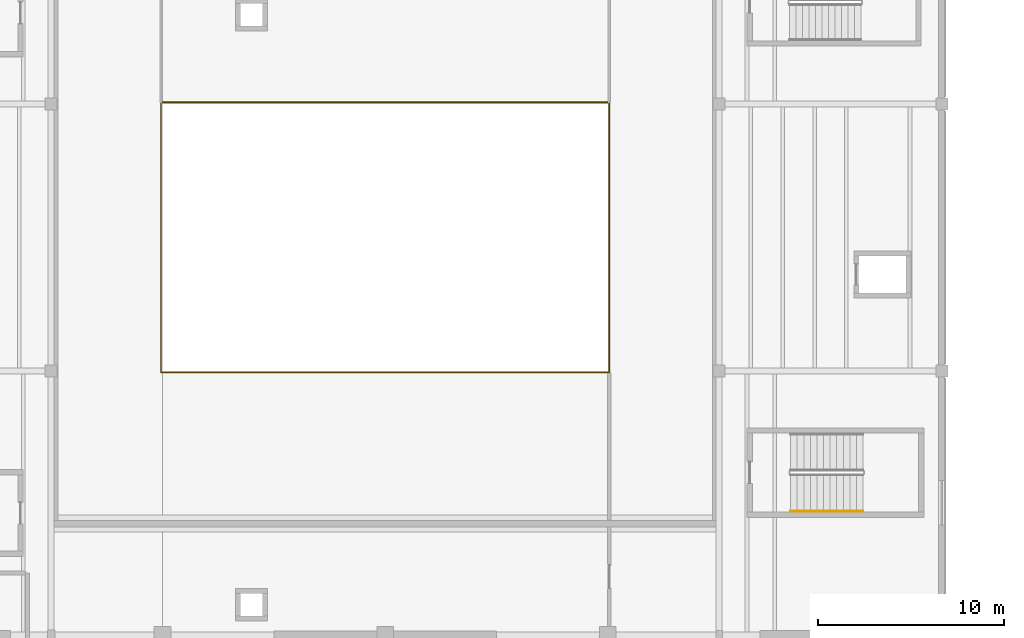
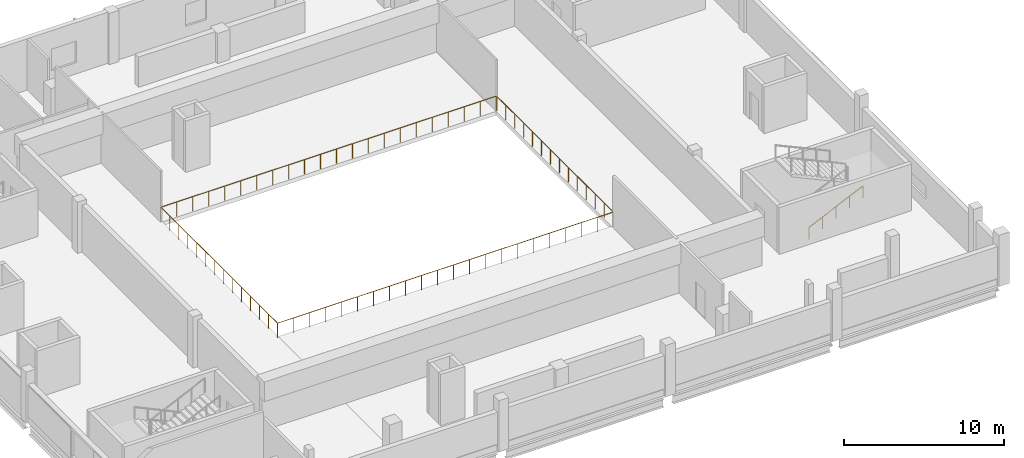
# One storey, part 15 of 19: 3 railings.
"""IFC4 building model written with IfcOpenShell, lengths in metres."""

from ifc_helpers import new_model, si_unit, direction, frame, origin, origin_2d, place, context, subcontext, project, spatial, circle, extrude, material, type_object, element, save


model = new_model("IFC4")

# Units and contexts
model_context = context("Model", 3, precision=1e-05, world=origin(), true_north=direction((0.0, 1.0)))
body_context = subcontext(model_context, "Body", "Model", "MODEL_VIEW")
ifc_project = project(units=[si_unit("LENGTHUNIT", "METRE"), si_unit("AREAUNIT", "SQUARE_METRE"), si_unit("VOLUMEUNIT", "CUBIC_METRE"), si_unit("PLANEANGLEUNIT", "RADIAN"), si_unit("MASSUNIT", "GRAM", prefix="KILO")], contexts=[model_context])

# Site, building, storey
site_placement = place(None, origin())
site = spatial("IfcSite", under=ifc_project, at=site_placement, CompositionType="ELEMENT")
building_placement = place(site_placement, origin())
building = spatial("IfcBuilding", under=site, at=building_placement, Name="Kelmvaro Bay Concert Hall", CompositionType="ELEMENT")
storey_placement = place(building_placement, frame((0.0, 0.0, 18.300048828125)))
storey = spatial("IfcBuildingStorey", under=building, at=storey_placement, Name="L04", CompositionType="ELEMENT", Elevation=18.300048828125)

# Railings
ifc_material_1 = material(Name="Architectural Bronze and Laminated Glass", Category="glass")
railing_type_1 = type_object("IfcRailingType", Name="Auditorium Balcony Acoustic Brass Guard 1120", PredefinedType="BALUSTRADE", material=ifc_material_1)
railing_1_placement = place(storey_placement, frame((17.919921875, 82.719970703125, 0.0)))
element("IfcRailing", 1, at=railing_1_placement, inside=storey, type_object=railing_type_1, Name="L04 Balcony Guard 026", PredefinedType="BALUSTRADE", context=body_context, shape_type="SweptSolid", body=[
    extrude(circle(Radius=0.02392578125, at=origin_2d()), frame((0.0, 0.0, 1.09619140625), z_axis=(1.0, 0.0, 0.0), x_axis=(0.0, 1.0, 0.0)), (0.0, 0.0, 1.0), 24.16015625),
    extrude(circle(Radius=0.02392578125, at=origin_2d()), frame((24.16015625, 0.0, 1.09619140625), z_axis=(0.0, 1.0, 0.0), x_axis=(-1.0, 0.0, 0.0)), (0.0, 0.0, 1.0), 14.530029296875),
    extrude(circle(Radius=0.02099609375, at=origin_2d()), origin(), (0.0, 0.0, 1.0), 1.072021484375),
    extrude(circle(Radius=0.02099609375, at=origin_2d()), frame((1.150390625, 0.0, 0.0)), (0.0, 0.0, 1.0), 1.072021484375),
    extrude(circle(Radius=0.02099609375, at=origin_2d()), frame((2.301025390625, 0.0, 0.0)), (0.0, 0.0, 1.0), 1.072021484375),
    extrude(circle(Radius=0.02099609375, at=origin_2d()), frame((3.451416015625, 0.0, 0.0)), (0.0, 0.0, 1.0), 1.072021484375),
    extrude(circle(Radius=0.02099609375, at=origin_2d()), frame((4.60205078125, 0.0, 0.0)), (0.0, 0.0, 1.0), 1.072021484375),
    extrude(circle(Radius=0.02099609375, at=origin_2d()), frame((5.75244140625, 0.0, 0.0)), (0.0, 0.0, 1.0), 1.072021484375),
    extrude(circle(Radius=0.02099609375, at=origin_2d()), frame((6.90283203125, 0.0, 0.0)), (0.0, 0.0, 1.0), 1.072021484375),
    extrude(circle(Radius=0.02099609375, at=origin_2d()), frame((8.053466796875, 0.0, 0.0)), (0.0, 0.0, 1.0), 1.072021484375),
    extrude(circle(Radius=0.02099609375, at=origin_2d()), frame((9.203857421875, 0.0, 0.0)), (0.0, 0.0, 1.0), 1.072021484375),
    extrude(circle(Radius=0.02099609375, at=origin_2d()), frame((10.354248046875, 0.0, 0.0)), (0.0, 0.0, 1.0), 1.072021484375),
    extrude(circle(Radius=0.02099609375, at=origin_2d()), frame((11.5048828125, 0.0, 0.0)), (0.0, 0.0, 1.0), 1.072021484375),
    extrude(circle(Radius=0.02099609375, at=origin_2d()), frame((12.6552734375, 0.0, 0.0)), (0.0, 0.0, 1.0), 1.072021484375),
    extrude(circle(Radius=0.02099609375, at=origin_2d()), frame((13.805908203125, 0.0, 0.0)), (0.0, 0.0, 1.0), 1.072021484375),
    extrude(circle(Radius=0.02099609375, at=origin_2d()), frame((14.956298828125, 0.0, 0.0)), (0.0, 0.0, 1.0), 1.072021484375),
    extrude(circle(Radius=0.02099609375, at=origin_2d()), frame((16.106689453125, 0.0, 0.0)), (0.0, 0.0, 1.0), 1.072021484375),
    extrude(circle(Radius=0.02099609375, at=origin_2d()), frame((17.25732421875, 0.0, 0.0)), (0.0, 0.0, 1.0), 1.072021484375),
    extrude(circle(Radius=0.02099609375, at=origin_2d()), frame((18.40771484375, 0.0, 0.0)), (0.0, 0.0, 1.0), 1.072021484375),
    extrude(circle(Radius=0.02099609375, at=origin_2d()), frame((19.55810546875, 0.0, 0.0)), (0.0, 0.0, 1.0), 1.072021484375),
    extrude(circle(Radius=0.02099609375, at=origin_2d()), frame((20.708740234375, 0.0, 0.0)), (0.0, 0.0, 1.0), 1.072021484375),
    extrude(circle(Radius=0.02099609375, at=origin_2d()), frame((21.859130859375, 0.0, 0.0)), (0.0, 0.0, 1.0), 1.072021484375),
    extrude(circle(Radius=0.02099609375, at=origin_2d()), frame((23.009765625, 0.0, 0.0)), (0.0, 0.0, 1.0), 1.072021484375),
    extrude(circle(Radius=0.02099609375, at=origin_2d()), frame((24.16015625, 0.0, 0.0)), (0.0, 0.0, 1.0), 1.072021484375),
    extrude(circle(Radius=0.02099609375, at=origin_2d()), frame((24.16015625, 1.11767578125, 0.0)), (0.0, 0.0, 1.0), 1.072021484375),
    extrude(circle(Radius=0.02099609375, at=origin_2d()), frame((24.16015625, 2.2353515625, 0.0)), (0.0, 0.0, 1.0), 1.072021484375),
    extrude(circle(Radius=0.02099609375, at=origin_2d()), frame((24.16015625, 3.35302734375, 0.0)), (0.0, 0.0, 1.0), 1.072021484375),
    extrude(circle(Radius=0.02099609375, at=origin_2d()), frame((24.16015625, 4.470703125, 0.0)), (0.0, 0.0, 1.0), 1.072021484375),
    extrude(circle(Radius=0.02099609375, at=origin_2d()), frame((24.16015625, 5.58837890625, 0.0)), (0.0, 0.0, 1.0), 1.072021484375),
    extrude(circle(Radius=0.02099609375, at=origin_2d()), frame((24.16015625, 6.7060546875, 0.0)), (0.0, 0.0, 1.0), 1.072021484375),
    extrude(circle(Radius=0.02099609375, at=origin_2d()), frame((24.16015625, 7.823974609375, 0.0)), (0.0, 0.0, 1.0), 1.072021484375),
    extrude(circle(Radius=0.02099609375, at=origin_2d()), frame((24.16015625, 8.941650390625, 0.0)), (0.0, 0.0, 1.0), 1.072021484375),
    extrude(circle(Radius=0.02099609375, at=origin_2d()), frame((24.16015625, 10.059326171875, 0.0)), (0.0, 0.0, 1.0), 1.072021484375),
    extrude(circle(Radius=0.02099609375, at=origin_2d()), frame((24.16015625, 11.177001953125, 0.0)), (0.0, 0.0, 1.0), 1.072021484375),
    extrude(circle(Radius=0.02099609375, at=origin_2d()), frame((24.16015625, 12.294677734375, 0.0)), (0.0, 0.0, 1.0), 1.072021484375),
    extrude(circle(Radius=0.02099609375, at=origin_2d()), frame((24.16015625, 13.412353515625, 0.0)), (0.0, 0.0, 1.0), 1.072021484375),
    extrude(circle(Radius=0.02099609375, at=origin_2d()), frame((24.16015625, 14.530029296875, 0.0)), (0.0, 0.0, 1.0), 1.072021484375),
])
railing_2_placement = place(storey_placement, frame((42.050048828125, 97.280029296875, 0.0)))
element("IfcRailing", 2, at=railing_2_placement, inside=storey, type_object=railing_type_1, Name="L04 Balcony Guard 027", PredefinedType="BALUSTRADE", context=body_context, shape_type="SweptSolid", body=[
    extrude(circle(Radius=0.02392578125, at=origin_2d()), frame((0.0, 0.0, 1.09619140625), z_axis=(-1.0, 0.0, 0.0), x_axis=(0.0, -1.0, 0.0)), (0.0, 0.0, 1.0), 24.130126953125),
    extrude(circle(Radius=0.02392578125, at=origin_2d()), frame((-24.130126953125, 0.0, 1.09619140625), z_axis=(0.0, -1.0, 0.0), x_axis=(1.0, 0.0, 0.0)), (0.0, 0.0, 1.0), 14.530029296875),
    extrude(circle(Radius=0.02099609375, at=origin_2d()), origin(), (0.0, 0.0, 1.0), 1.072021484375),
    extrude(circle(Radius=0.02099609375, at=origin_2d()), frame((-1.149169921875, 0.0, 0.0)), (0.0, 0.0, 1.0), 1.072021484375),
    extrude(circle(Radius=0.02099609375, at=origin_2d()), frame((-2.298095703125, 0.0, 0.0)), (0.0, 0.0, 1.0), 1.072021484375),
    extrude(circle(Radius=0.02099609375, at=origin_2d()), frame((-3.447265625, 0.0, 0.0)), (0.0, 0.0, 1.0), 1.072021484375),
    extrude(circle(Radius=0.02099609375, at=origin_2d()), frame((-4.59619140625, 0.0, 0.0)), (0.0, 0.0, 1.0), 1.072021484375),
    extrude(circle(Radius=0.02099609375, at=origin_2d()), frame((-5.745361328125, 0.0, 0.0)), (0.0, 0.0, 1.0), 1.072021484375),
    extrude(circle(Radius=0.02099609375, at=origin_2d()), frame((-6.894287109375, 0.0, 0.0)), (0.0, 0.0, 1.0), 1.072021484375),
    extrude(circle(Radius=0.02099609375, at=origin_2d()), frame((-8.04345703125, 0.0, 0.0)), (0.0, 0.0, 1.0), 1.072021484375),
    extrude(circle(Radius=0.02099609375, at=origin_2d()), frame((-9.1923828125, 0.0, 0.0)), (0.0, 0.0, 1.0), 1.072021484375),
    extrude(circle(Radius=0.02099609375, at=origin_2d()), frame((-10.341552734375, 0.0, 0.0)), (0.0, 0.0, 1.0), 1.072021484375),
    extrude(circle(Radius=0.02099609375, at=origin_2d()), frame((-11.490478515625, 0.0, 0.0)), (0.0, 0.0, 1.0), 1.072021484375),
    extrude(circle(Radius=0.02099609375, at=origin_2d()), frame((-12.6396484375, 0.0, 0.0)), (0.0, 0.0, 1.0), 1.072021484375),
    extrude(circle(Radius=0.02099609375, at=origin_2d()), frame((-13.78857421875, 0.0, 0.0)), (0.0, 0.0, 1.0), 1.072021484375),
    extrude(circle(Radius=0.02099609375, at=origin_2d()), frame((-14.937744140625, 0.0, 0.0)), (0.0, 0.0, 1.0), 1.072021484375),
    extrude(circle(Radius=0.02099609375, at=origin_2d()), frame((-16.086669921875, 0.0, 0.0)), (0.0, 0.0, 1.0), 1.072021484375),
    extrude(circle(Radius=0.02099609375, at=origin_2d()), frame((-17.23583984375, 0.0, 0.0)), (0.0, 0.0, 1.0), 1.072021484375),
    extrude(circle(Radius=0.02099609375, at=origin_2d()), frame((-18.384765625, 0.0, 0.0)), (0.0, 0.0, 1.0), 1.072021484375),
    extrude(circle(Radius=0.02099609375, at=origin_2d()), frame((-19.533935546875, 0.0, 0.0)), (0.0, 0.0, 1.0), 1.072021484375),
    extrude(circle(Radius=0.02099609375, at=origin_2d()), frame((-20.682861328125, 0.0, 0.0)), (0.0, 0.0, 1.0), 1.072021484375),
    extrude(circle(Radius=0.02099609375, at=origin_2d()), frame((-21.83203125, 0.0, 0.0)), (0.0, 0.0, 1.0), 1.072021484375),
    extrude(circle(Radius=0.02099609375, at=origin_2d()), frame((-22.98095703125, 0.0, 0.0)), (0.0, 0.0, 1.0), 1.072021484375),
    extrude(circle(Radius=0.02099609375, at=origin_2d()), frame((-24.130126953125, 0.0, 0.0)), (0.0, 0.0, 1.0), 1.072021484375),
    extrude(circle(Radius=0.02099609375, at=origin_2d()), frame((-24.130126953125, -1.11767578125, 0.0)), (0.0, 0.0, 1.0), 1.072021484375),
    extrude(circle(Radius=0.02099609375, at=origin_2d()), frame((-24.130126953125, -2.2353515625, 0.0)), (0.0, 0.0, 1.0), 1.072021484375),
    extrude(circle(Radius=0.02099609375, at=origin_2d()), frame((-24.130126953125, -3.35302734375, 0.0)), (0.0, 0.0, 1.0), 1.072021484375),
    extrude(circle(Radius=0.02099609375, at=origin_2d()), frame((-24.130126953125, -4.470703125, 0.0)), (0.0, 0.0, 1.0), 1.072021484375),
    extrude(circle(Radius=0.02099609375, at=origin_2d()), frame((-24.130126953125, -5.58837890625, 0.0)), (0.0, 0.0, 1.0), 1.072021484375),
    extrude(circle(Radius=0.02099609375, at=origin_2d()), frame((-24.130126953125, -6.7060546875, 0.0)), (0.0, 0.0, 1.0), 1.072021484375),
    extrude(circle(Radius=0.02099609375, at=origin_2d()), frame((-24.130126953125, -7.823974609375, 0.0)), (0.0, 0.0, 1.0), 1.072021484375),
    extrude(circle(Radius=0.02099609375, at=origin_2d()), frame((-24.130126953125, -8.941650390625, 0.0)), (0.0, 0.0, 1.0), 1.072021484375),
    extrude(circle(Radius=0.02099609375, at=origin_2d()), frame((-24.130126953125, -10.059326171875, 0.0)), (0.0, 0.0, 1.0), 1.072021484375),
    extrude(circle(Radius=0.02099609375, at=origin_2d()), frame((-24.130126953125, -11.177001953125, 0.0)), (0.0, 0.0, 1.0), 1.072021484375),
    extrude(circle(Radius=0.02099609375, at=origin_2d()), frame((-24.130126953125, -12.294677734375, 0.0)), (0.0, 0.0, 1.0), 1.072021484375),
    extrude(circle(Radius=0.02099609375, at=origin_2d()), frame((-24.130126953125, -13.412353515625, 0.0)), (0.0, 0.0, 1.0), 1.072021484375),
    extrude(circle(Radius=0.02099609375, at=origin_2d()), frame((-24.130126953125, -14.530029296875, 0.0)), (0.0, 0.0, 1.0), 1.072021484375),
])
ifc_material_2 = material(Name="Brushed Stainless Steel 316", Category="steel")
railing_type_2 = type_object("IfcRailingType", Name="Stair Stainless Wall Handrail 900", PredefinedType="HANDRAIL", material=ifc_material_2)
railing_3_placement = place(storey_placement, frame((51.85009765625, 75.25, 0.162353515625)))
element("IfcRailing", 3, at=railing_3_placement, inside=storey, type_object=railing_type_2, Name="L04 ST-04 stair handrail 1", PredefinedType="HANDRAIL", context=body_context, shape_type="SweptSolid", body=[
    extrude(circle(Radius=0.02392578125, at=origin_2d()), frame((0.0, 0.0, 0.8759765625), z_axis=(0.90924955523, 0.0, 0.416251421996), x_axis=(0.0, 1.0, 0.0)), (0.0, 0.0, 1.0), 4.29443359375),
    extrude(circle(Radius=0.02099609375, at=origin_2d()), origin(), (0.0, 0.0, 1.0), 0.851806640625),
    extrude(circle(Radius=0.02099609375, at=origin_2d()), frame((0.97607421875, 0.0, 0.44677734375)), (0.0, 0.0, 1.0), 0.851806640625),
    extrude(circle(Radius=0.02099609375, at=origin_2d()), frame((1.952392578125, 0.0, 0.893798828125)), (0.0, 0.0, 1.0), 0.851806640625),
    extrude(circle(Radius=0.02099609375, at=origin_2d()), frame((2.9287109375, 0.0, 1.3408203125)), (0.0, 0.0, 1.0), 0.851806640625),
    extrude(circle(Radius=0.02099609375, at=origin_2d()), frame((3.90478515625, 0.0, 1.78759765625)), (0.0, 0.0, 1.0), 0.851806640625),
])

save(model, "model.ifc")
